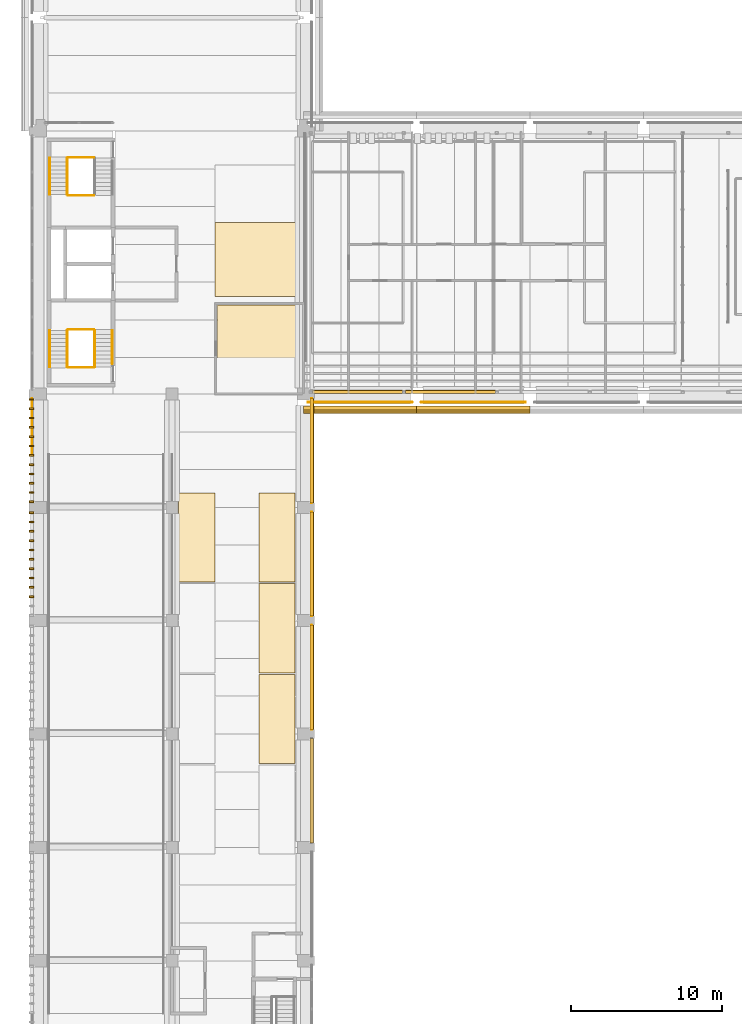
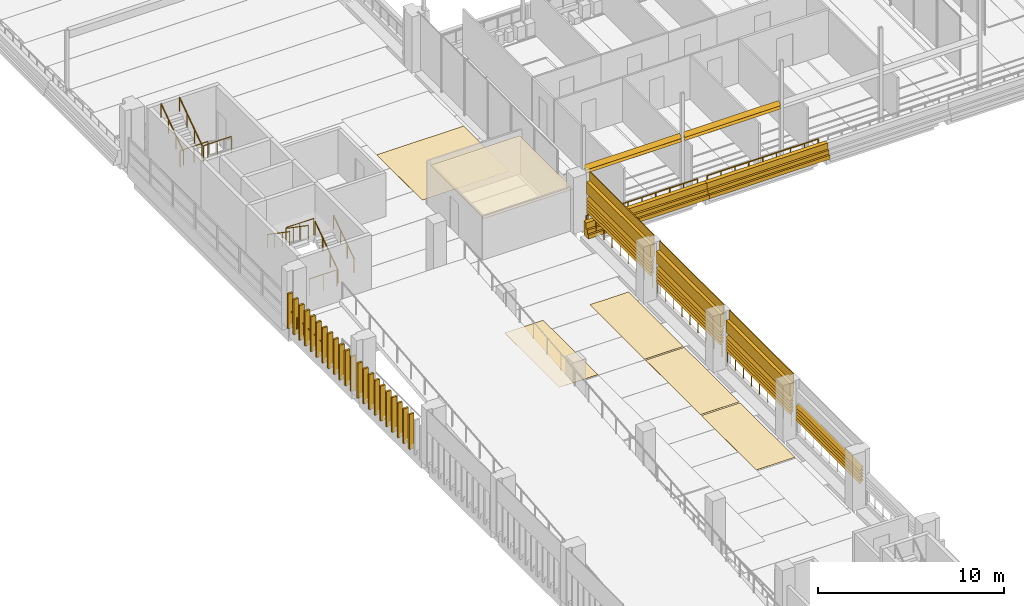
# One storey, part 50 of 62: 33 coverings, 24 shading devices, 16 railings.
"""IFC4 building model written with IfcOpenShell, lengths in metres."""

from ifc_helpers import new_model, si_unit, direction, frame, origin, origin_2d, place, context, subcontext, project, spatial, polyline, circle, outline, extrude, material, layer, layer_set, type_object, element, save


model = new_model("IFC4")

# Units and contexts
model_context = context("Model", 3, precision=1e-05, world=origin(), true_north=direction((0.0, 1.0)))
body_context = subcontext(model_context, "Body", "Model", "MODEL_VIEW")
ifc_project = project(units=[si_unit("LENGTHUNIT", "METRE"), si_unit("AREAUNIT", "SQUARE_METRE"), si_unit("VOLUMEUNIT", "CUBIC_METRE"), si_unit("PLANEANGLEUNIT", "RADIAN"), si_unit("MASSUNIT", "GRAM", prefix="KILO")], contexts=[model_context])

# Site, building, storey
site_placement = place(None, origin())
site = spatial("IfcSite", under=ifc_project, at=site_placement, CompositionType="ELEMENT")
building_placement = place(site_placement, origin())
building = spatial("IfcBuilding", under=site, at=building_placement, Name="Cour d'Honneur Mobility Palace", CompositionType="ELEMENT")
storey_placement = place(building_placement, frame((0.0, 0.0, 19.300048828125)))
storey = spatial("IfcBuildingStorey", under=building, at=storey_placement, Name="L05", CompositionType="ELEMENT", Elevation=19.300048828125)

# Covering
ifc_material_1 = material(Name="Accessible bay marking paint")
ifc_layer_1 = layer(ifc_material_1, 0.0048828125)
ifc_layer_set_1 = layer_set([ifc_layer_1], Name="Accessible bay marking paint")
covering_type_1 = type_object("IfcCoveringType", Name="Accessible parking bay marking", PredefinedType="FLOORING", material=ifc_layer_set_1)
covering_1_placement = place(storey_placement, origin())
element("IfcCovering", 1, at=covering_1_placement, inside=storey, type_object=covering_type_1, Name="Accessible parking bay marking L05 1", PredefinedType="FLOORING", context=body_context, shape_type="SweptSolid", body=[
    extrude(outline(polyline([(16.949951171875, 51.449951171875), (11.550048828125, 51.449951171875), (11.550048828125, 56.35009765625), (16.949951171875, 56.35009765625), (16.949951171875, 51.449951171875)])), origin(), (0.0, 0.0, 1.0), 0.0048828125),
])

# Railings
ifc_material_2 = material(Name="Painted steel", Category="steel")
railing_type_1 = type_object("IfcRailingType", Name="Balustrade", PredefinedType="BALUSTRADE", material=ifc_material_2)
for number, where, name in (
    (2, (17.949951171875, 22.800048828125, 0.300048828125), "Balustrade BAL-266"),
    (3, (17.949951171875, 30.300048828125, 0.300048828125), "Balustrade BAL-267"),
    (4, (17.949951171875, 37.800048828125, 0.300048828125), "Balustrade BAL-268"),
):
    element("IfcRailing", number, at=place(storey_placement, frame(where)), inside=storey, type_object=railing_type_1, Name=name, PredefinedType="BALUSTRADE", context=body_context, shape_type="SweptSolid", body=[
        extrude(circle(Radius=0.02392578125, at=origin_2d()), frame((0.0, 0.0, 0.77587890625), z_axis=(0.0, 1.0, 0.0), x_axis=(-1.0, 0.0, 0.0)), (0.0, 0.0, 1.0), 6.89990234375),
        extrude(circle(Radius=0.02099609375, at=origin_2d()), origin(), (0.0, 0.0, 1.0), 0.751953125),
        extrude(circle(Radius=0.02099609375, at=origin_2d()), frame((0.0, 0.862548828125, 0.0)), (0.0, 0.0, 1.0), 0.751953125),
        extrude(circle(Radius=0.02099609375, at=origin_2d()), frame((0.0, 1.72509765625, 0.0)), (0.0, 0.0, 1.0), 0.751953125),
        extrude(circle(Radius=0.02099609375, at=origin_2d()), frame((0.0, 2.58740234375, 0.0)), (0.0, 0.0, 1.0), 0.751953125),
        extrude(circle(Radius=0.02099609375, at=origin_2d()), frame((0.0, 3.449951171875, 0.0)), (0.0, 0.0, 1.0), 0.751953125),
        extrude(circle(Radius=0.02099609375, at=origin_2d()), frame((0.0, 4.3125, 0.0)), (0.0, 0.0, 1.0), 0.751953125),
        extrude(circle(Radius=0.02099609375, at=origin_2d()), frame((0.0, 5.1748046875, 0.0)), (0.0, 0.0, 1.0), 0.751953125),
        extrude(circle(Radius=0.02099609375, at=origin_2d()), frame((0.0, 6.037353515625, 0.0)), (0.0, 0.0, 1.0), 0.751953125),
        extrude(circle(Radius=0.02099609375, at=origin_2d()), frame((0.0, 6.89990234375, 0.0)), (0.0, 0.0, 1.0), 0.751953125),
    ])
for number, where, name in (
    (5, (17.699951171875, 44.449951171875, 0.300048828125), "Balustrade BAL-269"),
    (6, (25.199951171875, 44.449951171875, 0.300048828125), "Balustrade BAL-270"),
):
    element("IfcRailing", number, at=place(storey_placement, frame(where)), inside=storey, type_object=railing_type_1, Name=name, PredefinedType="BALUSTRADE", context=body_context, shape_type="SweptSolid", body=[
        extrude(circle(Radius=0.02392578125, at=origin_2d()), frame((0.0, 0.0, 0.77587890625), z_axis=(1.0, 0.0, 0.0), x_axis=(0.0, 1.0, 0.0)), (0.0, 0.0, 1.0), 6.900146484375),
        extrude(circle(Radius=0.02099609375, at=origin_2d()), origin(), (0.0, 0.0, 1.0), 0.751953125),
        extrude(circle(Radius=0.02099609375, at=origin_2d()), frame((0.862548828125, 0.0, 0.0)), (0.0, 0.0, 1.0), 0.751953125),
        extrude(circle(Radius=0.02099609375, at=origin_2d()), frame((1.72509765625, 0.0, 0.0)), (0.0, 0.0, 1.0), 0.751953125),
        extrude(circle(Radius=0.02099609375, at=origin_2d()), frame((2.587646484375, 0.0, 0.0)), (0.0, 0.0, 1.0), 0.751953125),
        extrude(circle(Radius=0.02099609375, at=origin_2d()), frame((3.4501953125, 0.0, 0.0)), (0.0, 0.0, 1.0), 0.751953125),
        extrude(circle(Radius=0.02099609375, at=origin_2d()), frame((4.3125, 0.0, 0.0)), (0.0, 0.0, 1.0), 0.751953125),
        extrude(circle(Radius=0.02099609375, at=origin_2d()), frame((5.175048828125, 0.0, 0.0)), (0.0, 0.0, 1.0), 0.751953125),
        extrude(circle(Radius=0.02099609375, at=origin_2d()), frame((6.03759765625, 0.0, 0.0)), (0.0, 0.0, 1.0), 0.751953125),
        extrude(circle(Radius=0.02099609375, at=origin_2d()), frame((6.900146484375, 0.0, 0.0)), (0.0, 0.0, 1.0), 0.751953125),
    ])
railing_1_placement = place(storey_placement, frame((-0.550048828125, 44.699951171875, 0.300048828125)))
element("IfcRailing", 7, at=railing_1_placement, inside=storey, type_object=railing_type_1, Name="Balustrade BAL-338", PredefinedType="BALUSTRADE", context=body_context, shape_type="SweptSolid", body=[
    extrude(circle(Radius=0.02392578125, at=origin_2d()), frame((0.0, 0.0, 0.77587890625), z_axis=(0.0, -1.0, 0.0), x_axis=(1.0, 0.0, 0.0)), (0.0, 0.0, 1.0), 3.699951171875),
    extrude(circle(Radius=0.02099609375, at=origin_2d()), origin(), (0.0, 0.0, 1.0), 0.751953125),
    extrude(circle(Radius=0.02099609375, at=origin_2d()), frame((0.0, -0.739990234375, 0.0)), (0.0, 0.0, 1.0), 0.751953125),
    extrude(circle(Radius=0.02099609375, at=origin_2d()), frame((0.0, -1.47998046875, 0.0)), (0.0, 0.0, 1.0), 0.751953125),
    extrude(circle(Radius=0.02099609375, at=origin_2d()), frame((0.0, -2.219970703125, 0.0)), (0.0, 0.0, 1.0), 0.751953125),
    extrude(circle(Radius=0.02099609375, at=origin_2d()), frame((0.0, -2.9599609375, 0.0)), (0.0, 0.0, 1.0), 0.751953125),
    extrude(circle(Radius=0.02099609375, at=origin_2d()), frame((0.0, -3.699951171875, 0.0)), (0.0, 0.0, 1.0), 0.751953125),
])

# Coverings
ifc_material_3 = material(Name="Cast limestone", Category="masonry")
ifc_layer_2 = layer(ifc_material_3, 0.5)
ifc_layer_set_2 = layer_set([ifc_layer_2], Name="Cast limestone")
covering_type_2 = type_object("IfcCoveringType", Name="Crown cornice", PredefinedType="CLADDING", material=ifc_layer_set_2)
for number, where, z_axis, x_axis, name in (
    (8, (17.39990234375, 44.199951171875, 0.099853515625), (-1.0, 0.0, 0.0), (0.0, -1.0, 0.0), "Crown cornice CN-1"),
    (9, (24.89990234375, 44.199951171875, 0.099853515625), (-1.0, 0.0, 0.0), (0.0, -1.0, 0.0), "Crown cornice CN-2"),
):
    element("IfcCovering", number, at=place(storey_placement, frame(where, z_axis=z_axis, x_axis=x_axis)), inside=storey, type_object=covering_type_2, Name=name, PredefinedType="CLADDING", context=body_context, shape_type="SweptSolid", body=[
        extrude(outline(polyline([(0.0, 0.0), (0.5, 0.0), (0.5, 0.25), (0.3798828125, 0.25), (0.3798828125, 0.5), (0.25, 0.5), (0.25, 0.900146484375), (0.0, 0.900146484375), (0.0, 0.0)])), origin(), (0.0, 0.0, -1.0), 7.5),
    ])

# Railings
ifc_material_4 = material(Name="Painted steel", Category="steel")
railing_type_2 = type_object("IfcRailingType", Name="Guardrail 1100", PredefinedType="GUARDRAIL", material=ifc_material_4)
for number, where, name in (
    (10, (1.824951171875, 46.7548828125, 0.0), "Guard ST-CW1"),
    (11, (1.824951171875, 49.264892578125, 1.849853515625), "Landing guard ST-CW1"),
    (12, (1.824951171875, 60.64501953125, 0.0), "Guard ST-CW2"),
    (13, (1.824951171875, 58.135009765625, 1.849853515625), "Landing guard ST-CW2"),
):
    element("IfcRailing", number, at=place(storey_placement, frame(where)), inside=storey, type_object=railing_type_2, Name=name, PredefinedType="GUARDRAIL", context=body_context, shape_type="SweptSolid", body=[
        extrude(circle(Radius=0.02490234375, at=origin_2d()), frame((0.0, 0.0, 1.0751953125), z_axis=(1.0, 0.0, 0.0), x_axis=(0.0, 1.0, 0.0)), (0.0, 0.0, 1.0), 1.72509765625),
        extrude(circle(Radius=0.02099609375, at=origin_2d()), origin(), (0.0, 0.0, 1.0), 1.050048828125),
        extrude(circle(Radius=0.02099609375, at=origin_2d()), frame((0.862548828125, 0.0, 0.0)), (0.0, 0.0, 1.0), 1.050048828125),
        extrude(circle(Radius=0.02099609375, at=origin_2d()), frame((1.72509765625, 0.0, 0.0)), (0.0, 0.0, 1.0), 1.050048828125),
    ])
ifc_material_5 = material(Name="Stainless steel", Category="steel")
railing_type_3 = type_object("IfcRailingType", Name="Handrail round 50", PredefinedType="HANDRAIL", material=ifc_material_5)
railing_2_placement = place(storey_placement, frame((4.75, 47.0, 0.339111328125)))
element("IfcRailing", 14, at=railing_2_placement, inside=storey, type_object=railing_type_3, Name="Handrail ST-CW1", PredefinedType="HANDRAIL", context=body_context, shape_type="SweptSolid", body=[
    extrude(circle(Radius=0.02490234375, at=origin_2d()), frame((0.0, 0.0, 0.89501953125), z_axis=(0.0, 0.824957609129, 0.565194606432), x_axis=(-1.0, 0.0, 0.0)), (0.0, 0.0, 1.0), 2.6728515625),
    extrude(circle(Radius=0.02099609375, at=origin_2d()), origin(), (0.0, 0.0, 1.0), 0.869873046875),
    extrude(circle(Radius=0.02099609375, at=origin_2d()), frame((0.0, 0.735107421875, 0.503662109375)), (0.0, 0.0, 1.0), 0.869873046875),
    extrude(circle(Radius=0.02099609375, at=origin_2d()), frame((0.0, 1.469970703125, 1.007080078125)), (0.0, 0.0, 1.0), 0.869873046875),
    extrude(circle(Radius=0.02099609375, at=origin_2d()), frame((0.0, 2.205078125, 1.5107421875)), (0.0, 0.0, 1.0), 0.869873046875),
])
railing_3_placement = place(storey_placement, frame((3.60009765625, 46.77490234375, 0.18505859375)))
element("IfcRailing", 15, at=railing_3_placement, inside=storey, type_object=railing_type_3, Name="Handrail ST-CW1", PredefinedType="HANDRAIL", context=body_context, shape_type="SweptSolid", body=[
    extrude(circle(Radius=0.02490234375, at=origin_2d()), frame((0.0, 0.0, 0.89501953125), z_axis=(0.0, 0.824983895463, 0.565156237006), x_axis=(-1.0, 0.0, 0.0)), (0.0, 0.0, 1.0), 2.94580078125),
    extrude(circle(Radius=0.02099609375, at=origin_2d()), origin(), (0.0, 0.0, 1.0), 0.869873046875),
    extrude(circle(Radius=0.02099609375, at=origin_2d()), frame((0.0, 0.81005859375, 0.554931640625)), (0.0, 0.0, 1.0), 0.869873046875),
    extrude(circle(Radius=0.02099609375, at=origin_2d()), frame((0.0, 1.6201171875, 1.10986328125)), (0.0, 0.0, 1.0), 0.869873046875),
    extrude(circle(Radius=0.02099609375, at=origin_2d()), frame((0.0, 2.43017578125, 1.664794921875)), (0.0, 0.0, 1.0), 0.869873046875),
])
for number, where, name in (
    (16, (1.77490234375, 49.205078125, 2.034912109375), "Handrail ST-CW1"),
    (17, (0.625, 49.205078125, 2.034912109375), "Handrail ST-CW1"),
):
    element("IfcRailing", number, at=place(storey_placement, frame(where)), inside=storey, type_object=railing_type_3, Name=name, PredefinedType="HANDRAIL", context=body_context, shape_type="SweptSolid", body=[
        extrude(circle(Radius=0.02490234375, at=origin_2d()), frame((0.0, 0.0, 0.89501953125), z_axis=(0.0, -0.824945253146, 0.565212640793), x_axis=(1.0, 0.0, 0.0)), (0.0, 0.0, 1.0), 2.94580078125),
        extrude(circle(Radius=0.02099609375, at=origin_2d()), origin(), (0.0, 0.0, 1.0), 0.869873046875),
        extrude(circle(Radius=0.02099609375, at=origin_2d()), frame((0.0, -0.81005859375, 0.554931640625)), (0.0, 0.0, 1.0), 0.869873046875),
        extrude(circle(Radius=0.02099609375, at=origin_2d()), frame((0.0, -1.6201171875, 1.110107421875)), (0.0, 0.0, 1.0), 0.869873046875),
        extrude(circle(Radius=0.02099609375, at=origin_2d()), frame((0.0, -2.43017578125, 1.6650390625)), (0.0, 0.0, 1.0), 0.869873046875),
    ])
for number, where, name in (
    (18, (1.77490234375, 58.195068359375, 2.034912109375), "Handrail ST-CW2"),
    (19, (0.625, 58.195068359375, 2.034912109375), "Handrail ST-CW2"),
):
    element("IfcRailing", number, at=place(storey_placement, frame(where)), inside=storey, type_object=railing_type_3, Name=name, PredefinedType="HANDRAIL", context=body_context, shape_type="SweptSolid", body=[
        extrude(circle(Radius=0.02490234375, at=origin_2d()), frame((0.0, 0.0, 0.89501953125), z_axis=(0.0, 0.8249187745, 0.56525128525), x_axis=(-1.0, 0.0, 0.0)), (0.0, 0.0, 1.0), 2.945556640625),
        extrude(circle(Radius=0.02099609375, at=origin_2d()), origin(), (0.0, 0.0, 1.0), 0.869873046875),
        extrude(circle(Radius=0.02099609375, at=origin_2d()), frame((0.0, 0.81005859375, 0.554931640625)), (0.0, 0.0, 1.0), 0.869873046875),
        extrude(circle(Radius=0.02099609375, at=origin_2d()), frame((0.0, 1.619873046875, 1.110107421875)), (0.0, 0.0, 1.0), 0.869873046875),
        extrude(circle(Radius=0.02099609375, at=origin_2d()), frame((0.0, 2.429931640625, 1.6650390625)), (0.0, 0.0, 1.0), 0.869873046875),
    ])

# Coverings
ifc_material_6 = material(Name="Parking marking paint")
ifc_layer_3 = layer(ifc_material_6, 0.0048828125)
ifc_layer_set_3 = layer_set([ifc_layer_3], Name="Parking marking paint")
covering_type_3 = type_object("IfcCoveringType", Name="Parking bay marking", PredefinedType="FLOORING", material=ifc_layer_set_3)
covering_2_placement = place(storey_placement, origin())
element("IfcCovering", 20, at=covering_2_placement, inside=storey, type_object=covering_type_3, Name="Parking bay marking L05 12", PredefinedType="FLOORING", context=body_context, shape_type="SweptSolid", body=[
    extrude(outline(polyline([(11.550048828125, 32.550048828125), (9.14990234375, 32.550048828125), (9.14990234375, 38.449951171875), (11.550048828125, 38.449951171875), (11.550048828125, 32.550048828125)])), origin(), (0.0, 0.0, 1.0), 0.0048828125),
])
covering_3_placement = place(storey_placement, origin())
element("IfcCovering", 21, at=covering_3_placement, inside=storey, type_object=covering_type_3, Name="Parking bay marking L05 14", PredefinedType="FLOORING", context=body_context, shape_type="SweptSolid", body=[
    extrude(outline(polyline([(16.85009765625, 20.550048828125), (14.449951171875, 20.550048828125), (14.449951171875, 26.449951171875), (16.85009765625, 26.449951171875), (16.85009765625, 20.550048828125)])), origin(), (0.0, 0.0, 1.0), 0.0048828125),
])
covering_4_placement = place(storey_placement, origin())
element("IfcCovering", 22, at=covering_4_placement, inside=storey, type_object=covering_type_3, Name="Parking bay marking L05 15", PredefinedType="FLOORING", context=body_context, shape_type="SweptSolid", body=[
    extrude(outline(polyline([(16.85009765625, 26.550048828125), (14.449951171875, 26.550048828125), (14.449951171875, 32.449951171875), (16.85009765625, 32.449951171875), (16.85009765625, 26.550048828125)])), origin(), (0.0, 0.0, 1.0), 0.0048828125),
])
covering_5_placement = place(storey_placement, origin())
element("IfcCovering", 23, at=covering_5_placement, inside=storey, type_object=covering_type_3, Name="Parking bay marking L05 16", PredefinedType="FLOORING", context=body_context, shape_type="SweptSolid", body=[
    extrude(outline(polyline([(16.85009765625, 32.550048828125), (14.449951171875, 32.550048828125), (14.449951171875, 38.449951171875), (16.85009765625, 38.449951171875), (16.85009765625, 32.550048828125)])), origin(), (0.0, 0.0, 1.0), 0.0048828125),
])
ifc_material_7 = material(Name="Cast limestone", Category="masonry")
ifc_layer_4 = layer(ifc_material_7, 0.1201171875)
ifc_layer_set_4 = layer_set([ifc_layer_4], Name="Cast limestone")
covering_type_4 = type_object("IfcCoveringType", Name="Ramp screen fin", PredefinedType="CLADDING", material=ifc_layer_set_4)
covering_6_placement = place(storey_placement, origin())
element("IfcCovering", 24, at=covering_6_placement, inside=storey, type_object=covering_type_4, Name="Ramp screen fin W3.1 L05 1", PredefinedType="CLADDING", context=body_context, shape_type="SweptSolid", body=[
    extrude(outline(polyline([(-0.449951171875, 44.699951171875), (-0.449951171875, 44.580078125), (-0.75, 44.580078125), (-0.75, 44.699951171875), (-0.449951171875, 44.699951171875)])), origin(), (0.0, 0.0, 1.0), 2.300048828125),
])
covering_7_placement = place(storey_placement, origin())
element("IfcCovering", 25, at=covering_7_placement, inside=storey, type_object=covering_type_4, Name="Ramp screen fin W3.1 L05 2", PredefinedType="CLADDING", context=body_context, shape_type="SweptSolid", body=[
    extrude(outline(polyline([(-0.449951171875, 44.083740234375), (-0.449951171875, 43.963623046875), (-0.75, 43.963623046875), (-0.75, 44.083740234375), (-0.449951171875, 44.083740234375)])), origin(), (0.0, 0.0, 1.0), 2.300048828125),
])
covering_8_placement = place(storey_placement, origin())
element("IfcCovering", 26, at=covering_8_placement, inside=storey, type_object=covering_type_4, Name="Ramp screen fin W3.1 L05 3", PredefinedType="CLADDING", context=body_context, shape_type="SweptSolid", body=[
    extrude(outline(polyline([(-0.449951171875, 43.46728515625), (-0.449951171875, 43.34716796875), (-0.75, 43.34716796875), (-0.75, 43.46728515625), (-0.449951171875, 43.46728515625)])), origin(), (0.0, 0.0, 1.0), 2.300048828125),
])
covering_9_placement = place(storey_placement, origin())
element("IfcCovering", 27, at=covering_9_placement, inside=storey, type_object=covering_type_4, Name="Ramp screen fin W3.1 L05 4", PredefinedType="CLADDING", context=body_context, shape_type="SweptSolid", body=[
    extrude(outline(polyline([(-0.449951171875, 42.850830078125), (-0.449951171875, 42.73095703125), (-0.75, 42.73095703125), (-0.75, 42.850830078125), (-0.449951171875, 42.850830078125)])), origin(), (0.0, 0.0, 1.0), 2.300048828125),
])
covering_10_placement = place(storey_placement, origin())
element("IfcCovering", 28, at=covering_10_placement, inside=storey, type_object=covering_type_4, Name="Ramp screen fin W3.1 L05 5", PredefinedType="CLADDING", context=body_context, shape_type="SweptSolid", body=[
    extrude(outline(polyline([(-0.449951171875, 42.234619140625), (-0.449951171875, 42.114501953125), (-0.75, 42.114501953125), (-0.75, 42.234619140625), (-0.449951171875, 42.234619140625)])), origin(), (0.0, 0.0, 1.0), 2.300048828125),
])
covering_11_placement = place(storey_placement, origin())
element("IfcCovering", 29, at=covering_11_placement, inside=storey, type_object=covering_type_4, Name="Ramp screen fin W3.1 L05 6", PredefinedType="CLADDING", context=body_context, shape_type="SweptSolid", body=[
    extrude(outline(polyline([(-0.449951171875, 41.6181640625), (-0.449951171875, 41.498291015625), (-0.75, 41.498291015625), (-0.75, 41.6181640625), (-0.449951171875, 41.6181640625)])), origin(), (0.0, 0.0, 1.0), 2.300048828125),
])
covering_12_placement = place(storey_placement, origin())
element("IfcCovering", 30, at=covering_12_placement, inside=storey, type_object=covering_type_4, Name="Ramp screen fin W3.1 L05 7", PredefinedType="CLADDING", context=body_context, shape_type="SweptSolid", body=[
    extrude(outline(polyline([(-0.449951171875, 41.001708984375), (-0.449951171875, 40.8818359375), (-0.75, 40.8818359375), (-0.75, 41.001708984375), (-0.449951171875, 41.001708984375)])), origin(), (0.0, 0.0, 1.0), 2.300048828125),
])
covering_13_placement = place(storey_placement, origin())
element("IfcCovering", 31, at=covering_13_placement, inside=storey, type_object=covering_type_4, Name="Ramp screen fin W3.1 L05 8", PredefinedType="CLADDING", context=body_context, shape_type="SweptSolid", body=[
    extrude(outline(polyline([(-0.449951171875, 40.385498046875), (-0.449951171875, 40.265380859375), (-0.75, 40.265380859375), (-0.75, 40.385498046875), (-0.449951171875, 40.385498046875)])), origin(), (0.0, 0.0, 1.0), 2.300048828125),
])
covering_14_placement = place(storey_placement, origin())
element("IfcCovering", 32, at=covering_14_placement, inside=storey, type_object=covering_type_4, Name="Ramp screen fin W3.1 L05 9", PredefinedType="CLADDING", context=body_context, shape_type="SweptSolid", body=[
    extrude(outline(polyline([(-0.449951171875, 39.76904296875), (-0.449951171875, 39.649169921875), (-0.75, 39.649169921875), (-0.75, 39.76904296875), (-0.449951171875, 39.76904296875)])), origin(), (0.0, 0.0, 1.0), 2.300048828125),
])
covering_15_placement = place(storey_placement, origin())
element("IfcCovering", 33, at=covering_15_placement, inside=storey, type_object=covering_type_4, Name="Ramp screen fin W3.1 L05 10", PredefinedType="CLADDING", context=body_context, shape_type="SweptSolid", body=[
    extrude(outline(polyline([(-0.449951171875, 39.15283203125), (-0.449951171875, 39.03271484375), (-0.75, 39.03271484375), (-0.75, 39.15283203125), (-0.449951171875, 39.15283203125)])), origin(), (0.0, 0.0, 1.0), 2.300048828125),
])
covering_16_placement = place(storey_placement, origin())
element("IfcCovering", 34, at=covering_16_placement, inside=storey, type_object=covering_type_4, Name="Ramp screen fin W3.1 L05 11", PredefinedType="CLADDING", context=body_context, shape_type="SweptSolid", body=[
    extrude(outline(polyline([(-0.449951171875, 38.536376953125), (-0.449951171875, 38.416259765625), (-0.75, 38.416259765625), (-0.75, 38.536376953125), (-0.449951171875, 38.536376953125)])), origin(), (0.0, 0.0, 1.0), 2.300048828125),
])
covering_17_placement = place(storey_placement, origin())
element("IfcCovering", 35, at=covering_17_placement, inside=storey, type_object=covering_type_4, Name="Ramp screen fin W3.1 L05 12", PredefinedType="CLADDING", context=body_context, shape_type="SweptSolid", body=[
    extrude(outline(polyline([(-0.449951171875, 37.919921875), (-0.449951171875, 37.800048828125), (-0.75, 37.800048828125), (-0.75, 37.919921875), (-0.449951171875, 37.919921875)])), origin(), (0.0, 0.0, 1.0), 2.300048828125),
])
covering_18_placement = place(storey_placement, origin())
element("IfcCovering", 36, at=covering_18_placement, inside=storey, type_object=covering_type_4, Name="Ramp screen fin W3.2 L05 1", PredefinedType="CLADDING", context=body_context, shape_type="SweptSolid", body=[
    extrude(outline(polyline([(-0.449951171875, 37.199951171875), (-0.449951171875, 37.080078125), (-0.75, 37.080078125), (-0.75, 37.199951171875), (-0.449951171875, 37.199951171875)])), origin(), (0.0, 0.0, 1.0), 2.300048828125),
])
covering_19_placement = place(storey_placement, origin())
element("IfcCovering", 37, at=covering_19_placement, inside=storey, type_object=covering_type_4, Name="Ramp screen fin W3.2 L05 2", PredefinedType="CLADDING", context=body_context, shape_type="SweptSolid", body=[
    extrude(outline(polyline([(-0.449951171875, 36.583740234375), (-0.449951171875, 36.463623046875), (-0.75, 36.463623046875), (-0.75, 36.583740234375), (-0.449951171875, 36.583740234375)])), origin(), (0.0, 0.0, 1.0), 2.300048828125),
])
covering_20_placement = place(storey_placement, origin())
element("IfcCovering", 38, at=covering_20_placement, inside=storey, type_object=covering_type_4, Name="Ramp screen fin W3.2 L05 3", PredefinedType="CLADDING", context=body_context, shape_type="SweptSolid", body=[
    extrude(outline(polyline([(-0.449951171875, 35.96728515625), (-0.449951171875, 35.84716796875), (-0.75, 35.84716796875), (-0.75, 35.96728515625), (-0.449951171875, 35.96728515625)])), origin(), (0.0, 0.0, 1.0), 2.300048828125),
])
covering_21_placement = place(storey_placement, origin())
element("IfcCovering", 39, at=covering_21_placement, inside=storey, type_object=covering_type_4, Name="Ramp screen fin W3.2 L05 4", PredefinedType="CLADDING", context=body_context, shape_type="SweptSolid", body=[
    extrude(outline(polyline([(-0.449951171875, 35.350830078125), (-0.449951171875, 35.23095703125), (-0.75, 35.23095703125), (-0.75, 35.350830078125), (-0.449951171875, 35.350830078125)])), origin(), (0.0, 0.0, 1.0), 2.300048828125),
])
covering_22_placement = place(storey_placement, origin())
element("IfcCovering", 40, at=covering_22_placement, inside=storey, type_object=covering_type_4, Name="Ramp screen fin W3.2 L05 5", PredefinedType="CLADDING", context=body_context, shape_type="SweptSolid", body=[
    extrude(outline(polyline([(-0.449951171875, 34.734619140625), (-0.449951171875, 34.614501953125), (-0.75, 34.614501953125), (-0.75, 34.734619140625), (-0.449951171875, 34.734619140625)])), origin(), (0.0, 0.0, 1.0), 2.300048828125),
])
covering_23_placement = place(storey_placement, origin())
element("IfcCovering", 41, at=covering_23_placement, inside=storey, type_object=covering_type_4, Name="Ramp screen fin W3.2 L05 6", PredefinedType="CLADDING", context=body_context, shape_type="SweptSolid", body=[
    extrude(outline(polyline([(-0.449951171875, 34.1181640625), (-0.449951171875, 33.998291015625), (-0.75, 33.998291015625), (-0.75, 34.1181640625), (-0.449951171875, 34.1181640625)])), origin(), (0.0, 0.0, 1.0), 2.300048828125),
])
covering_24_placement = place(storey_placement, origin())
element("IfcCovering", 42, at=covering_24_placement, inside=storey, type_object=covering_type_4, Name="Ramp screen fin W3.2 L05 7", PredefinedType="CLADDING", context=body_context, shape_type="SweptSolid", body=[
    extrude(outline(polyline([(-0.449951171875, 33.501708984375), (-0.449951171875, 33.3818359375), (-0.75, 33.3818359375), (-0.75, 33.501708984375), (-0.449951171875, 33.501708984375)])), origin(), (0.0, 0.0, 1.0), 2.300048828125),
])
covering_25_placement = place(storey_placement, origin())
element("IfcCovering", 43, at=covering_25_placement, inside=storey, type_object=covering_type_4, Name="Ramp screen fin W3.2 L05 8", PredefinedType="CLADDING", context=body_context, shape_type="SweptSolid", body=[
    extrude(outline(polyline([(-0.449951171875, 32.885498046875), (-0.449951171875, 32.765380859375), (-0.75, 32.765380859375), (-0.75, 32.885498046875), (-0.449951171875, 32.885498046875)])), origin(), (0.0, 0.0, 1.0), 2.300048828125),
])
covering_26_placement = place(storey_placement, origin())
element("IfcCovering", 44, at=covering_26_placement, inside=storey, type_object=covering_type_4, Name="Ramp screen fin W3.2 L05 9", PredefinedType="CLADDING", context=body_context, shape_type="SweptSolid", body=[
    extrude(outline(polyline([(-0.449951171875, 32.26904296875), (-0.449951171875, 32.149169921875), (-0.75, 32.149169921875), (-0.75, 32.26904296875), (-0.449951171875, 32.26904296875)])), origin(), (0.0, 0.0, 1.0), 2.300048828125),
])
covering_27_placement = place(storey_placement, origin())
element("IfcCovering", 45, at=covering_27_placement, inside=storey, type_object=covering_type_4, Name="Ramp screen fin W3.2 L05 10", PredefinedType="CLADDING", context=body_context, shape_type="SweptSolid", body=[
    extrude(outline(polyline([(-0.449951171875, 31.65283203125), (-0.449951171875, 31.53271484375), (-0.75, 31.53271484375), (-0.75, 31.65283203125), (-0.449951171875, 31.65283203125)])), origin(), (0.0, 0.0, 1.0), 2.300048828125),
])
ifc_material_8 = material(Name="Cast limestone", Category="masonry")
ifc_layer_5 = layer(ifc_material_8, 0.25)
ifc_layer_set_5 = layer_set([ifc_layer_5], Name="Cast limestone")
covering_type_5 = type_object("IfcCoveringType", Name="Spandrel cladding", PredefinedType="CLADDING", material=ifc_layer_set_5)
for number, where, z_axis, x_axis, name in (
    (46, (17.85009765625, 22.800048828125, 2.300048828125), (0.0, -1.0, 0.0), (1.0, 0.0, 0.0), "Spandrel cladding SK-347"),
    (47, (17.85009765625, 30.300048828125, 2.300048828125), (0.0, -1.0, 0.0), (1.0, 0.0, 0.0), "Spandrel cladding SK-348"),
    (48, (17.85009765625, 37.800048828125, 2.300048828125), (0.0, -1.0, 0.0), (1.0, 0.0, 0.0), "Spandrel cladding SK-349"),
):
    element("IfcCovering", number, at=place(storey_placement, frame(where, z_axis=z_axis, x_axis=x_axis)), inside=storey, type_object=covering_type_5, Name=name, PredefinedType="CLADDING", context=body_context, shape_type="SweptSolid", body=[
        extrude(outline(polyline([(0.0, 0.0), (0.25, 0.0), (0.25, 1.39990234375), (0.199951171875, 1.39990234375), (0.199951171875, 0.7998046875), (0.0, 0.7998046875), (0.0, 0.0)])), origin(), (0.0, 0.0, -1.0), 6.89990234375),
    ])
ifc_material_9 = material(Name="Suspended ceiling")
ifc_layer_6 = layer(ifc_material_9, 0.030029296875)
ifc_layer_set_6 = layer_set([ifc_layer_6], Name="Suspended ceiling")
covering_type_6 = type_object("IfcCoveringType", Name="Suspended ceiling", PredefinedType="CEILING", material=ifc_layer_set_6)
covering_28_placement = place(storey_placement, frame((0.0, 0.0, 2.550048828125)))
element("IfcCovering", 49, at=covering_28_placement, inside=storey, type_object=covering_type_6, Name="Ceiling Security Post", PredefinedType="CEILING", context=body_context, shape_type="SweptSolid", body=[
    extrude(outline(polyline([(17.280029296875, 45.1201171875), (11.719970703125, 45.1201171875), (11.719970703125, 50.8798828125), (17.280029296875, 50.8798828125), (17.280029296875, 45.1201171875)])), origin(), (0.0, 0.0, 1.0), 0.02978515625),
])

# Shading devices
ifc_material_10 = material(Name="Terracotta", Category="masonry")
ifc_layer_7 = layer(ifc_material_10, 0.02490234375)
ifc_layer_set_7 = layer_set([ifc_layer_7], Name="Terracotta")
shading_device_type = type_object("IfcShadingDeviceType", Name="Terracotta louvre blade", PredefinedType="JALOUSIE", material=ifc_layer_set_7)
for number, where, z_axis, x_axis, name in (
    (50, (17.843994140625, 15.300048828125, 1.099853515625), (-0.707106781187, 0.0, 0.707106781187), (0.0, 1.0, 0.0), "Louvre blade LV-1 E1.2 L05 1"),
    (51, (17.843994140625, 15.300048828125, 1.31201171875), (-0.707106781187, 0.0, 0.707106781187), (0.0, 1.0, 0.0), "Louvre blade LV-1 E1.2 L05 2"),
    (52, (17.843994140625, 15.300048828125, 1.524169921875), (-0.707106781187, 0.0, 0.707106781187), (0.0, 1.0, 0.0), "Louvre blade LV-1 E1.2 L05 3"),
    (53, (17.843994140625, 15.300048828125, 1.736328125), (-0.707106781187, 0.0, 0.707106781187), (0.0, 1.0, 0.0), "Louvre blade LV-1 E1.2 L05 4"),
    (54, (17.843994140625, 15.300048828125, 1.948486328125), (-0.707106781187, 0.0, 0.707106781187), (0.0, 1.0, 0.0), "Louvre blade LV-1 E1.2 L05 5"),
    (55, (17.843994140625, 22.800048828125, 1.099853515625), (-0.707106781187, 0.0, 0.707106781187), (0.0, 1.0, 0.0), "Louvre blade LV-1 E1.3 L05 1"),
    (56, (17.843994140625, 22.800048828125, 1.31201171875), (-0.707106781187, 0.0, 0.707106781187), (0.0, 1.0, 0.0), "Louvre blade LV-1 E1.3 L05 2"),
    (57, (17.843994140625, 22.800048828125, 1.524169921875), (-0.707106781187, 0.0, 0.707106781187), (0.0, 1.0, 0.0), "Louvre blade LV-1 E1.3 L05 3"),
    (58, (17.843994140625, 22.800048828125, 1.736328125), (-0.707106781187, 0.0, 0.707106781187), (0.0, 1.0, 0.0), "Louvre blade LV-1 E1.3 L05 4"),
    (59, (17.843994140625, 22.800048828125, 1.948486328125), (-0.707106781187, 0.0, 0.707106781187), (0.0, 1.0, 0.0), "Louvre blade LV-1 E1.3 L05 5"),
    (60, (17.843994140625, 30.300048828125, 1.099853515625), (-0.707106781187, 0.0, 0.707106781187), (0.0, 1.0, 0.0), "Louvre blade LV-1 E1.4 L05 1"),
    (61, (17.843994140625, 30.300048828125, 1.31201171875), (-0.707106781187, 0.0, 0.707106781187), (0.0, 1.0, 0.0), "Louvre blade LV-1 E1.4 L05 2"),
    (62, (17.843994140625, 30.300048828125, 1.524169921875), (-0.707106781187, 0.0, 0.707106781187), (0.0, 1.0, 0.0), "Louvre blade LV-1 E1.4 L05 3"),
    (63, (17.843994140625, 30.300048828125, 1.736328125), (-0.707106781187, 0.0, 0.707106781187), (0.0, 1.0, 0.0), "Louvre blade LV-1 E1.4 L05 4"),
    (64, (17.843994140625, 30.300048828125, 1.948486328125), (-0.707106781187, 0.0, 0.707106781187), (0.0, 1.0, 0.0), "Louvre blade LV-1 E1.4 L05 5"),
    (65, (17.843994140625, 37.800048828125, 1.099853515625), (-0.707106781187, 0.0, 0.707106781187), (0.0, 1.0, 0.0), "Louvre blade LV-1 E1.5 L05 1"),
    (66, (17.843994140625, 37.800048828125, 1.31201171875), (-0.707106781187, 0.0, 0.707106781187), (0.0, 1.0, 0.0), "Louvre blade LV-1 E1.5 L05 2"),
    (67, (17.843994140625, 37.800048828125, 1.524169921875), (-0.707106781187, 0.0, 0.707106781187), (0.0, 1.0, 0.0), "Louvre blade LV-1 E1.5 L05 3"),
    (68, (17.843994140625, 37.800048828125, 1.736328125), (-0.707106781187, 0.0, 0.707106781187), (0.0, 1.0, 0.0), "Louvre blade LV-1 E1.5 L05 4"),
    (69, (17.843994140625, 37.800048828125, 1.948486328125), (-0.707106781187, 0.0, 0.707106781187), (0.0, 1.0, 0.0), "Louvre blade LV-1 E1.5 L05 5"),
):
    element("IfcShadingDevice", number, at=place(storey_placement, frame(where, z_axis=z_axis, x_axis=x_axis)), inside=storey, type_object=shading_device_type, Name=name, PredefinedType="JALOUSIE", context=body_context, shape_type="SweptSolid", body=[
        extrude(outline(polyline([(0.0, 0.0), (6.89990234375, 0.0), (6.89990234375, -0.300037008228081), (0.0, -0.300037008228081), (0.0, 0.0)])), origin(), (0.0, 0.0, -1.0), 0.02490234375),
    ])
for number, where, z_axis, x_axis, name in (
    (70, (18.0, 45.01904296875, 3.39990234375), (0.0, -0.707513749017, 0.706699578995), (1.0, 0.0, 0.0), "Louvre blade LV-2 FW PG-FW-S1 1"),
    (71, (18.0, 45.01904296875, 3.612060546875), (0.0, -0.707513749017, 0.706699578995), (1.0, 0.0, 0.0), "Louvre blade LV-2 FW PG-FW-S1 2"),
):
    element("IfcShadingDevice", number, at=place(storey_placement, frame(where, z_axis=z_axis, x_axis=x_axis)), inside=storey, type_object=shading_device_type, Name=name, PredefinedType="JALOUSIE", context=body_context, shape_type="SweptSolid", body=[
        extrude(outline(polyline([(0.0, 0.0), (5.949951171875, 0.0), (5.949951171875, 0.29986442442957895), (0.0, 0.29986442442957895), (0.0, 0.0)])), origin(), (0.0, 0.0, -1.0), 0.02490234375),
    ])
for number, where, z_axis, x_axis, name in (
    (72, (24.14990234375, 45.01904296875, 3.39990234375), (0.0, -0.707513749017, 0.706699578995), (1.0, 0.0, 0.0), "Louvre blade LV-2 FW PG-FW-S2 1"),
    (73, (24.14990234375, 45.01904296875, 3.612060546875), (0.0, -0.707513749017, 0.706699578995), (1.0, 0.0, 0.0), "Louvre blade LV-2 FW PG-FW-S2 2"),
):
    element("IfcShadingDevice", number, at=place(storey_placement, frame(where, z_axis=z_axis, x_axis=x_axis)), inside=storey, type_object=shading_device_type, Name=name, PredefinedType="JALOUSIE", context=body_context, shape_type="SweptSolid", body=[
        extrude(outline(polyline([(0.0, 0.0), (5.9501953125, 0.0), (5.9501953125, 0.29986442442957895), (0.0, 0.29986442442957895), (0.0, 0.0)])), origin(), (0.0, 0.0, -1.0), 0.02490234375),
    ])

save(model, "model.ifc")
